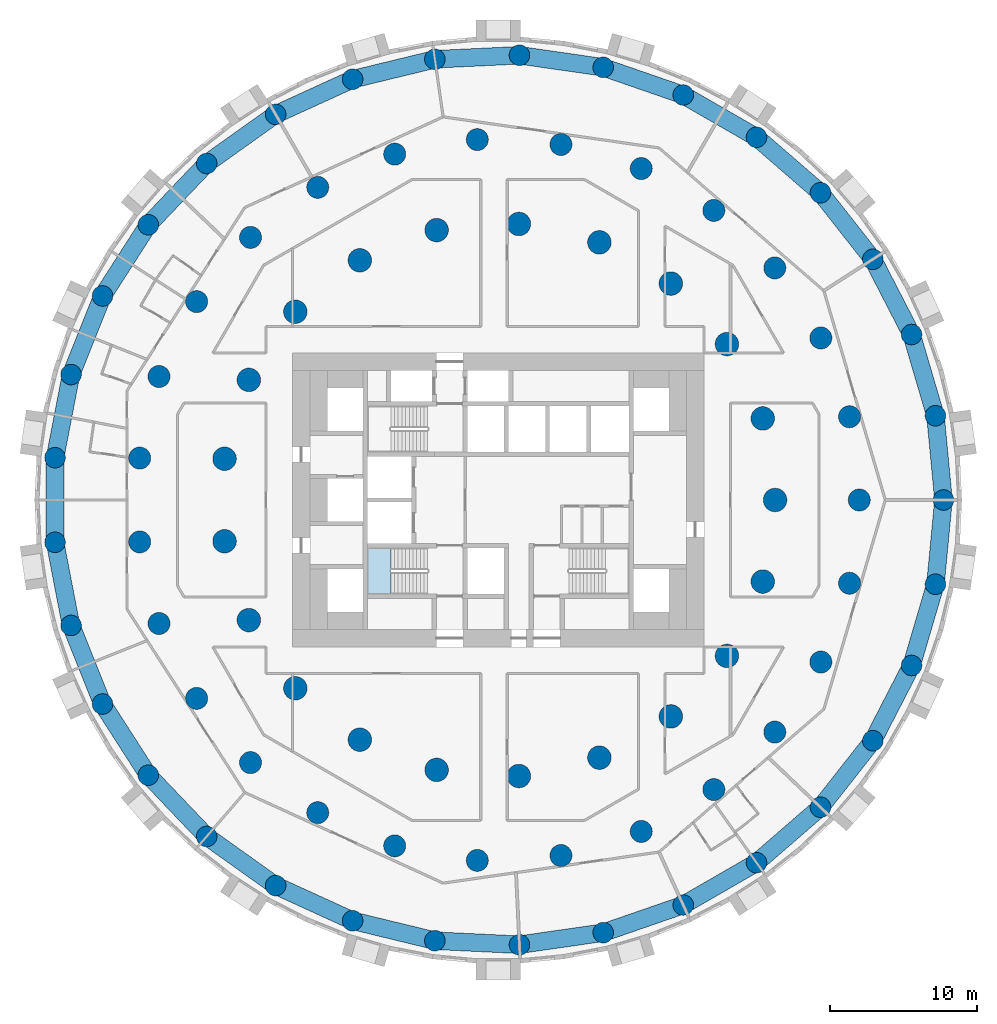
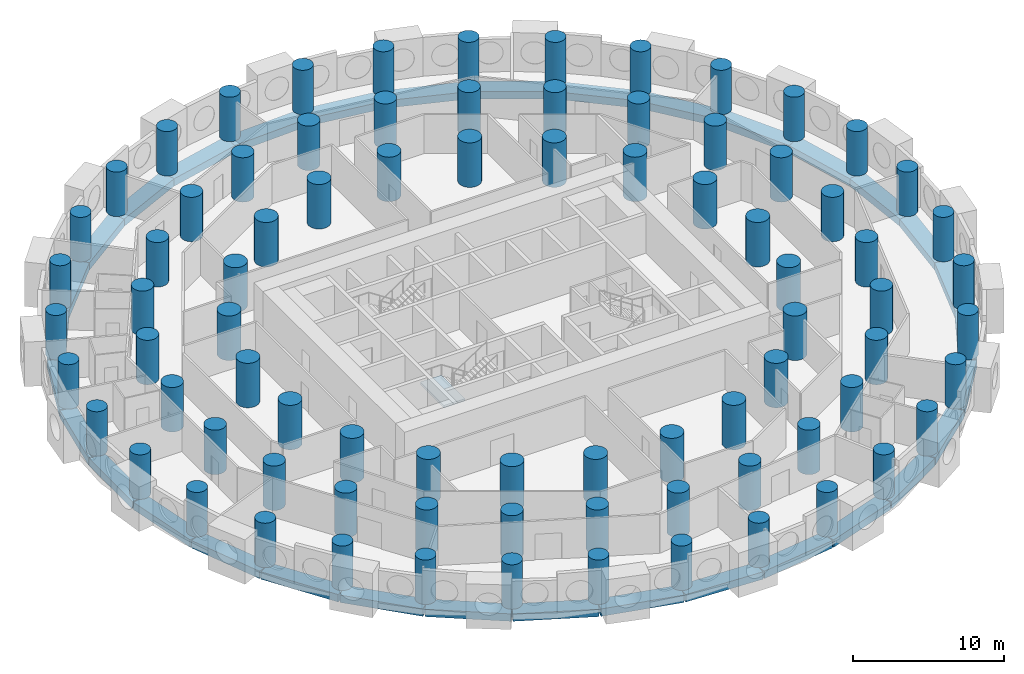
# One storey, part 1 of 11: 81 columns, 33 beams, 1 slab, 1 element without a shape of its own.
"""IFC4 building model written with IfcOpenShell, lengths in metres."""

from ifc_helpers import new_model, si_unit, direction, frame, origin, origin_2d, place, context, subcontext, project, spatial, polyline, rectangle, circle, outline, extrude, material, layer, layer_set, material_profile, profile_set, type_object, element, aggregate, save


model = new_model("IFC4")

# Units and contexts
model_context = context("Model", 3, precision=1e-05, world=origin(), true_north=direction((0.0, 1.0)))
body_context = subcontext(model_context, "Body", "Model", "MODEL_VIEW")
ifc_project = project(units=[si_unit("LENGTHUNIT", "METRE"), si_unit("AREAUNIT", "SQUARE_METRE"), si_unit("VOLUMEUNIT", "CUBIC_METRE"), si_unit("PLANEANGLEUNIT", "RADIAN"), si_unit("MASSUNIT", "GRAM", prefix="KILO")], contexts=[model_context])

# Site, building, storey
site_placement = place(None, origin())
site = spatial("IfcSite", under=ifc_project, at=site_placement, CompositionType="ELEMENT")
building_placement = place(site_placement, origin())
building = spatial("IfcBuilding", under=site, at=building_placement, Name="Tracery Tower", CompositionType="ELEMENT")
storey_placement = place(building_placement, frame((0.0, 0.0, 60.60009765625)))
storey = spatial("IfcBuildingStorey", under=building, at=storey_placement, Name="L14", CompositionType="ELEMENT", Elevation=60.60009765625)

# Columns
ifc_material_1 = material(Name="Concrete C60/75", Category="concrete")
ifc_material_profile_1 = material_profile(ifc_material_1, circle(Radius=0.699951171875, at=origin_2d()), Name="RC D1400")
ifc_profile_set_1 = profile_set([ifc_material_profile_1], Name="Concrete C60/75")
column_type_1 = type_object("IfcColumnType", Name="Ring 0 column 1400", PredefinedType="COLUMN", material=ifc_profile_set_1)
for number, where, z_axis, x_axis, name in (
    (1, (30.274658203125, 0.0, 0.0), (0.0, 0.0, 1.0), (1.0, 0.0, 0.0), "Ring 0 column 00 at L14"),
    (2, (29.7275390625, 5.7294921875, 0.0), (0.0, 0.0, 1.0), (1.0, 0.0, 0.0), "Ring 0 column 01 at L14"),
    (3, (28.10595703125, 11.251953125, 0.0), (0.0, 0.0, 1.0), (1.0, 0.0, 0.0), "Ring 0 column 02 at L14"),
    (4, (25.468505859375, 16.36767578125, 0.0), (0.0, 0.0, 1.0), (1.0, 0.0, 0.0), "Ring 0 column 03 at L14"),
    (5, (21.910888671875, 20.891845703125, 0.0), (0.0, 0.0, 1.0), (1.0, 0.0, 0.0), "Ring 0 column 04 at L14"),
    (6, (17.56103515625, 24.660888671875, 0.0), (0.0, 0.0, 1.0), (1.0, 0.0, 0.0), "Ring 0 column 05 at L14"),
    (7, (12.576416015625, 27.538818359375, 0.0), (0.0, 0.0, 1.0), (1.0, 0.0, 0.0), "Ring 0 column 06 at L14"),
    (8, (7.137451171875, 29.421142578125, 0.0), (0.0, 0.0, 1.0), (1.0, 0.0, 0.0), "Ring 0 column 07 at L14"),
    (9, (1.4404296875, 30.240234375, 0.0), (0.0, 0.0, 1.0), (1.0, 0.0, 0.0), "Ring 0 column 08 at L14"),
    (10, (-4.30859375, 29.96630859375, 0.0), (0.0, 0.0, 1.0), (1.0, 0.0, 0.0), "Ring 0 column 09 at L14"),
    (11, (-9.90185546875, 28.609619140625, 0.0), (0.0, 0.0, 1.0), (1.0, 0.0, 0.0), "Ring 0 column 10 at L14"),
    (12, (-15.13720703125, 26.218505859375, 0.0), (0.0, 0.0, 1.0), (1.0, 0.0, 0.0), "Ring 0 column 11 at L14"),
    (13, (-19.82568359375, 22.8798828125, 0.0), (0.0, 0.0, 1.0), (1.0, 0.0, 0.0), "Ring 0 column 12 at L14"),
    (14, (-23.79736328125, 18.714599609375, 0.0), (0.0, 0.0, 1.0), (1.0, 0.0, 0.0), "Ring 0 column 13 at L14"),
    (15, (-26.9091796875, 13.87255859375, 0.0), (0.0, 0.0, 1.0), (1.0, 0.0, 0.0), "Ring 0 column 14 at L14"),
    (16, (-29.04833984375, 8.529296875, 0.0), (0.0, 0.0, 1.0), (1.0, 0.0, 0.0), "Ring 0 column 15 at L14"),
    (17, (-30.137451171875, 2.877685546875, 0.0), (0.0, 0.0, 1.0), (1.0, 0.0, 0.0), "Ring 0 column 16 at L14"),
    (18, (-30.137451171875, -2.877685546875, 0.0), (0.0, 0.0, 1.0), (1.0, 0.0, 0.0), "Ring 0 column 17 at L14"),
    (19, (-29.04833984375, -8.529296875, 0.0), (0.0, 0.0, 1.0), (1.0, 0.0, 0.0), "Ring 0 column 18 at L14"),
    (20, (-26.9091796875, -13.87255859375, 0.0), (0.0, 0.0, 1.0), (1.0, 0.0, 0.0), "Ring 0 column 19 at L14"),
    (21, (-23.79736328125, -18.714599609375, 0.0), (0.0, 0.0, 1.0), (1.0, 0.0, 0.0), "Ring 0 column 20 at L14"),
    (22, (-19.82568359375, -22.8798828125, 0.0), (0.0, 0.0, 1.0), (1.0, 0.0, 0.0), "Ring 0 column 21 at L14"),
    (23, (-15.13720703125, -26.218505859375, 0.0), (0.0, 0.0, 1.0), (1.0, 0.0, 0.0), "Ring 0 column 22 at L14"),
    (24, (-9.90185546875, -28.609619140625, 0.0), (0.0, 0.0, 1.0), (1.0, 0.0, 0.0), "Ring 0 column 23 at L14"),
    (25, (-4.30859375, -29.96630859375, 0.0), (0.0, 0.0, 1.0), (1.0, 0.0, 0.0), "Ring 0 column 24 at L14"),
    (26, (1.4404296875, -30.240234375, 0.0), (0.0, 0.0, 1.0), (1.0, 0.0, 0.0), "Ring 0 column 25 at L14"),
    (27, (7.137451171875, -29.421142578125, 0.0), (0.0, 0.0, 1.0), (1.0, 0.0, 0.0), "Ring 0 column 26 at L14"),
    (28, (12.576416015625, -27.538818359375, 0.0), (0.0, 0.0, 1.0), (1.0, 0.0, 0.0), "Ring 0 column 27 at L14"),
    (29, (17.56103515625, -24.660888671875, 0.0), (0.0, 0.0, 1.0), (1.0, 0.0, 0.0), "Ring 0 column 28 at L14"),
    (30, (21.910888671875, -20.891845703125, 0.0), (0.0, 0.0, 1.0), (1.0, 0.0, 0.0), "Ring 0 column 29 at L14"),
    (31, (25.468505859375, -16.36767578125, 0.0), (0.0, 0.0, 1.0), (1.0, 0.0, 0.0), "Ring 0 column 30 at L14"),
    (32, (28.10595703125, -11.251953125, 0.0), (0.0, 0.0, 1.0), (1.0, 0.0, 0.0), "Ring 0 column 31 at L14"),
    (33, (29.7275390625, -5.7294921875, 0.0), (0.0, 0.0, 1.0), (1.0, 0.0, 0.0), "Ring 0 column 32 at L14"),
):
    element("IfcColumn", number, at=place(storey_placement, frame(where, z_axis=z_axis, x_axis=x_axis)), inside=storey, type_object=column_type_1, Name=name, PredefinedType="COLUMN", context=body_context, shape_type="SweptSolid", body=[
        extrude(circle(Radius=0.699951171875, at=origin_2d()), origin(), (0.0, 0.0, 1.0), 3.599853515625),
    ])
ifc_material_2 = material(Name="Concrete C60/75", Category="concrete")
ifc_material_profile_2 = material_profile(ifc_material_2, circle(Radius=0.75, at=origin_2d()), Name="RC D1500")
ifc_profile_set_2 = profile_set([ifc_material_profile_2], Name="Concrete C60/75")
column_type_2 = type_object("IfcColumnType", Name="Ring 1 column 1500", PredefinedType="COLUMN", material=ifc_profile_set_2)
for number, where, z_axis, x_axis, name in (
    (34, (24.547607421875, 0.0, 0.0), (0.0, 0.0, 1.0), (1.0, 0.0, 0.0), "Ring 1 column 00 at L14"),
    (35, (23.885986328125, 5.6611328125, 0.0), (0.0, 0.0, 1.0), (1.0, 0.0, 0.0), "Ring 1 column 01 at L14"),
    (36, (21.9365234375, 11.01708984375, 0.0), (0.0, 0.0, 1.0), (1.0, 0.0, 0.0), "Ring 1 column 02 at L14"),
    (37, (18.8046875, 15.779052734375, 0.0), (0.0, 0.0, 1.0), (1.0, 0.0, 0.0), "Ring 1 column 03 at L14"),
    (38, (14.658935546875, 19.690185546875, 0.0), (0.0, 0.0, 1.0), (1.0, 0.0, 0.0), "Ring 1 column 04 at L14"),
    (39, (9.722900390625, 22.5400390625, 0.0), (0.0, 0.0, 1.0), (1.0, 0.0, 0.0), "Ring 1 column 05 at L14"),
    (40, (4.2626953125, 24.1748046875, 0.0), (0.0, 0.0, 1.0), (1.0, 0.0, 0.0), "Ring 1 column 06 at L14"),
    (41, (-1.42724609375, 24.506103515625, 0.0), (0.0, 0.0, 1.0), (1.0, 0.0, 0.0), "Ring 1 column 07 at L14"),
    (42, (-7.040283203125, 23.516357421875, 0.0), (0.0, 0.0, 1.0), (1.0, 0.0, 0.0), "Ring 1 column 08 at L14"),
    (43, (-12.273681640625, 21.2587890625, 0.0), (0.0, 0.0, 1.0), (1.0, 0.0, 0.0), "Ring 1 column 09 at L14"),
    (44, (-16.845703125, 17.855224609375, 0.0), (0.0, 0.0, 1.0), (1.0, 0.0, 0.0), "Ring 1 column 10 at L14"),
    (45, (-20.50927734375, 13.4892578125, 0.0), (0.0, 0.0, 1.0), (1.0, 0.0, 0.0), "Ring 1 column 11 at L14"),
    (46, (-23.0673828125, 8.395751953125, 0.0), (0.0, 0.0, 1.0), (1.0, 0.0, 0.0), "Ring 1 column 12 at L14"),
    (47, (-24.381591796875, 2.849853515625, 0.0), (0.0, 0.0, 1.0), (1.0, 0.0, 0.0), "Ring 1 column 13 at L14"),
    (48, (-24.381591796875, -2.849853515625, 0.0), (0.0, 0.0, 1.0), (1.0, 0.0, 0.0), "Ring 1 column 14 at L14"),
    (49, (-23.0673828125, -8.395751953125, 0.0), (0.0, 0.0, 1.0), (1.0, 0.0, 0.0), "Ring 1 column 15 at L14"),
    (50, (-20.50927734375, -13.4892578125, 0.0), (0.0, 0.0, 1.0), (1.0, 0.0, 0.0), "Ring 1 column 16 at L14"),
    (51, (-16.845703125, -17.85546875, 0.0), (0.0, 0.0, 1.0), (1.0, 0.0, 0.0), "Ring 1 column 17 at L14"),
    (52, (-12.27392578125, -21.2587890625, 0.0), (0.0, 0.0, 1.0), (1.0, 0.0, 0.0), "Ring 1 column 18 at L14"),
    (53, (-7.040283203125, -23.516357421875, 0.0), (0.0, 0.0, 1.0), (1.0, 0.0, 0.0), "Ring 1 column 19 at L14"),
    (54, (-1.42724609375, -24.506103515625, 0.0), (0.0, 0.0, 1.0), (1.0, 0.0, 0.0), "Ring 1 column 20 at L14"),
    (55, (4.2626953125, -24.1748046875, 0.0), (0.0, 0.0, 1.0), (1.0, 0.0, 0.0), "Ring 1 column 21 at L14"),
    (56, (9.722900390625, -22.5400390625, 0.0), (0.0, 0.0, 1.0), (1.0, 0.0, 0.0), "Ring 1 column 22 at L14"),
    (57, (14.658935546875, -19.690185546875, 0.0), (0.0, 0.0, 1.0), (1.0, 0.0, 0.0), "Ring 1 column 23 at L14"),
    (58, (18.8046875, -15.779052734375, 0.0), (0.0, 0.0, 1.0), (1.0, 0.0, 0.0), "Ring 1 column 24 at L14"),
    (59, (21.9365234375, -11.01708984375, 0.0), (0.0, 0.0, 1.0), (1.0, 0.0, 0.0), "Ring 1 column 25 at L14"),
    (60, (23.885986328125, -5.6611328125, 0.0), (0.0, 0.0, 1.0), (1.0, 0.0, 0.0), "Ring 1 column 26 at L14"),
):
    element("IfcColumn", number, at=place(storey_placement, frame(where, z_axis=z_axis, x_axis=x_axis)), inside=storey, type_object=column_type_2, Name=name, PredefinedType="COLUMN", context=body_context, shape_type="SweptSolid", body=[
        extrude(circle(Radius=0.75, at=origin_2d()), origin(), (0.0, 0.0, 1.0), 3.599853515625),
    ])
ifc_material_3 = material(Name="Concrete C60/75", Category="concrete")
ifc_material_profile_3 = material_profile(ifc_material_3, circle(Radius=0.800048828125, at=origin_2d()), Name="RC D1600")
ifc_profile_set_3 = profile_set([ifc_material_profile_3], Name="Concrete C60/75")
column_type_3 = type_object("IfcColumnType", Name="Ring 2 column 1600", PredefinedType="COLUMN", material=ifc_profile_set_3)
for number, where, z_axis, x_axis, name in (
    (61, (18.822265625, 0.0, 0.0), (0.0, 0.0, 1.0), (1.0, 0.0, 0.0), "Ring 2 column 00 at L14"),
    (62, (17.986083984375, 5.5478515625, 0.0), (0.0, 0.0, 1.0), (1.0, 0.0, 0.0), "Ring 2 column 01 at L14"),
    (63, (15.551513671875, 10.602783203125, 0.0), (0.0, 0.0, 1.0), (1.0, 0.0, 0.0), "Ring 2 column 02 at L14"),
    (64, (11.7353515625, 14.7158203125, 0.0), (0.0, 0.0, 1.0), (1.0, 0.0, 0.0), "Ring 2 column 03 at L14"),
    (65, (6.87646484375, 17.52099609375, 0.0), (0.0, 0.0, 1.0), (1.0, 0.0, 0.0), "Ring 2 column 04 at L14"),
    (66, (1.406494140625, 18.76953125, 0.0), (0.0, 0.0, 1.0), (1.0, 0.0, 0.0), "Ring 2 column 05 at L14"),
    (67, (-4.188232421875, 18.350341796875, 0.0), (0.0, 0.0, 1.0), (1.0, 0.0, 0.0), "Ring 2 column 06 at L14"),
    (68, (-9.4111328125, 16.300537109375, 0.0), (0.0, 0.0, 1.0), (1.0, 0.0, 0.0), "Ring 2 column 07 at L14"),
    (69, (-13.797607421875, 12.802490234375, 0.0), (0.0, 0.0, 1.0), (1.0, 0.0, 0.0), "Ring 2 column 08 at L14"),
    (70, (-16.958251953125, 8.16650390625, 0.0), (0.0, 0.0, 1.0), (1.0, 0.0, 0.0), "Ring 2 column 09 at L14"),
    (71, (-18.612060546875, 2.805419921875, 0.0), (0.0, 0.0, 1.0), (1.0, 0.0, 0.0), "Ring 2 column 10 at L14"),
    (72, (-18.612060546875, -2.805419921875, 0.0), (0.0, 0.0, 1.0), (1.0, 0.0, 0.0), "Ring 2 column 11 at L14"),
    (73, (-16.958251953125, -8.166748046875, 0.0), (0.0, 0.0, 1.0), (1.0, 0.0, 0.0), "Ring 2 column 12 at L14"),
    (74, (-13.797607421875, -12.80224609375, 0.0), (0.0, 0.0, 1.0), (1.0, 0.0, 0.0), "Ring 2 column 13 at L14"),
    (75, (-9.4111328125, -16.300537109375, 0.0), (0.0, 0.0, 1.0), (1.0, 0.0, 0.0), "Ring 2 column 14 at L14"),
    (76, (-4.188232421875, -18.350341796875, 0.0), (0.0, 0.0, 1.0), (1.0, 0.0, 0.0), "Ring 2 column 15 at L14"),
    (77, (1.406494140625, -18.76953125, 0.0), (0.0, 0.0, 1.0), (1.0, 0.0, 0.0), "Ring 2 column 16 at L14"),
    (78, (6.87646484375, -17.52099609375, 0.0), (0.0, 0.0, 1.0), (1.0, 0.0, 0.0), "Ring 2 column 17 at L14"),
    (79, (11.7353515625, -14.7158203125, 0.0), (0.0, 0.0, 1.0), (1.0, 0.0, 0.0), "Ring 2 column 18 at L14"),
    (80, (15.551513671875, -10.602783203125, 0.0), (0.0, 0.0, 1.0), (1.0, 0.0, 0.0), "Ring 2 column 19 at L14"),
    (81, (17.986083984375, -5.5478515625, 0.0), (0.0, 0.0, 1.0), (1.0, 0.0, 0.0), "Ring 2 column 20 at L14"),
):
    element("IfcColumn", number, at=place(storey_placement, frame(where, z_axis=z_axis, x_axis=x_axis)), inside=storey, type_object=column_type_3, Name=name, PredefinedType="COLUMN", context=body_context, shape_type="SweptSolid", body=[
        extrude(circle(Radius=0.800048828125, at=origin_2d()), origin(), (0.0, 0.0, 1.0), 3.599853515625),
    ])

# Beams
ifc_material_4 = material(Name="Concrete C60/75", Category="concrete")
ifc_material_profile_4 = material_profile(ifc_material_4, rectangle(XDim=1.199951171875, YDim=0.60009765625, at=origin_2d()), Name="RC 1200x600")
ifc_profile_set_4 = profile_set([ifc_material_profile_4], Name="Concrete C60/75")
beam_type = type_object("IfcBeamType", Name="Perimeter band beam 1200x600", PredefinedType="BEAM", material=ifc_profile_set_4)
for number, where, z_axis, x_axis, name in (
    (82, (30.274658203125, 0.0, -0.75), (-0.095059309677, 0.995471610667, 0.0), (-0.995471610667, -0.095059309677, 0.0), "Perimeter beam 0.00 under L14"),
    (83, (29.7275390625, 5.7294921875, -0.75), (-0.281739145896, 0.959491038869, 0.0), (-0.959491038869, -0.281739145896, 0.0), "Perimeter beam 0.01 under L14"),
    (84, (28.10595703125, 11.251953125, -0.75), (-0.458242010493, 0.88882746347, 0.0), (-0.88882746347, -0.458242010493, 0.0), "Perimeter beam 0.02 under L14"),
):
    element("IfcBeam", number, at=place(storey_placement, frame(where, z_axis=z_axis, x_axis=x_axis)), inside=storey, type_object=beam_type, Name=name, PredefinedType="BEAM", context=body_context, shape_type="SweptSolid", body=[
        extrude(rectangle(XDim=1.199951171875, YDim=0.60009765625, at=origin_2d()), origin(), (0.0, 0.0, 1.0), 5.755615234375),
    ])
beam_1_placement = place(storey_placement, frame((25.468505859375, 16.36767578125, -0.75), z_axis=(-0.618134362257, 0.786072458618, 0.0), x_axis=(-0.786072458618, -0.618134362257, 0.0)))
element("IfcBeam", 85, at=beam_1_placement, inside=storey, type_object=beam_type, Name="Perimeter beam 0.03 under L14", PredefinedType="BEAM", context=body_context, shape_type="SweptSolid", body=[
    extrude(rectangle(XDim=1.199951171875, YDim=0.60009765625, at=origin_2d()), origin(), (0.0, 0.0, 1.0), 5.75537109375),
])
beam_2_placement = place(storey_placement, frame((21.910888671875, 20.891845703125, -0.75), z_axis=(-0.755760456715, 0.65484817482, 0.0), x_axis=(-0.65484817482, -0.755760456715, 0.0)))
element("IfcBeam", 86, at=beam_2_placement, inside=storey, type_object=beam_type, Name="Perimeter beam 0.04 under L14", PredefinedType="BEAM", context=body_context, shape_type="SweptSolid", body=[
    extrude(rectangle(XDim=1.199951171875, YDim=0.60009765625, at=origin_2d()), origin(), (0.0, 0.0, 1.0), 5.755615234375),
])
beam_3_placement = place(storey_placement, frame((17.56103515625, 24.660888671875, -0.75), z_axis=(-0.866021003874, 0.50000762079, 0.0), x_axis=(-0.50000762079, -0.866021003874, 0.0)))
element("IfcBeam", 87, at=beam_3_placement, inside=storey, type_object=beam_type, Name="Perimeter beam 0.05 under L14", PredefinedType="BEAM", context=body_context, shape_type="SweptSolid", body=[
    extrude(rectangle(XDim=1.199951171875, YDim=0.60009765625, at=origin_2d()), origin(), (0.0, 0.0, 1.0), 5.755859375),
])
beam_4_placement = place(storey_placement, frame((12.576416015625, 27.538818359375, -0.75), z_axis=(-0.945007252869, 0.327049372458, 0.0), x_axis=(-0.327049372458, -0.945007252869, 0.0)))
element("IfcBeam", 88, at=beam_4_placement, inside=storey, type_object=beam_type, Name="Perimeter beam 0.06 under L14", PredefinedType="BEAM", context=body_context, shape_type="SweptSolid", body=[
    extrude(rectangle(XDim=1.199951171875, YDim=0.60009765625, at=origin_2d()), origin(), (0.0, 0.0, 1.0), 5.75537109375),
])
for number, where, z_axis, x_axis, name in (
    (89, (7.137451171875, 29.421142578125, -0.75), (-0.989821839174, 0.142312075013, 0.0), (-0.142312075013, -0.989821839174, 0.0), "Perimeter beam 0.07 under L14"),
    (90, (1.4404296875, 30.240234375, -0.75), (-0.998866793759, -0.047593364303, 0.0), (0.047593364303, -0.998866793759, 0.0), "Perimeter beam 0.08 under L14"),
):
    element("IfcBeam", number, at=place(storey_placement, frame(where, z_axis=z_axis, x_axis=x_axis)), inside=storey, type_object=beam_type, Name=name, PredefinedType="BEAM", context=body_context, shape_type="SweptSolid", body=[
        extrude(rectangle(XDim=1.199951171875, YDim=0.60009765625, at=origin_2d()), origin(), (0.0, 0.0, 1.0), 5.755615234375),
    ])
beam_5_placement = place(storey_placement, frame((-4.30859375, 29.96630859375, -0.75), z_axis=(-0.971820371509, -0.235722645328, 0.0), x_axis=(0.235722645328, -0.971820371509, 0.0)))
element("IfcBeam", 91, at=beam_5_placement, inside=storey, type_object=beam_type, Name="Perimeter beam 0.09 under L14", PredefinedType="BEAM", context=body_context, shape_type="SweptSolid", body=[
    extrude(rectangle(XDim=1.199951171875, YDim=0.60009765625, at=origin_2d()), origin(), (0.0, 0.0, 1.0), 5.75537109375),
])
for number, where, z_axis, x_axis, name in (
    (92, (-9.90185546875, 28.609619140625, -0.75), (-0.909618316865, -0.415444963411, 0.0), (0.415444963411, -0.909618316865, 0.0), "Perimeter beam 0.10 under L14"),
    (93, (-15.13720703125, 26.218505859375, -0.75), (-0.8145780864, -0.580053912285, 0.0), (0.580053912285, -0.8145780864, 0.0), "Perimeter beam 0.11 under L14"),
):
    element("IfcBeam", number, at=place(storey_placement, frame(where, z_axis=z_axis, x_axis=x_axis)), inside=storey, type_object=beam_type, Name=name, PredefinedType="BEAM", context=body_context, shape_type="SweptSolid", body=[
        extrude(rectangle(XDim=1.199951171875, YDim=0.60009765625, at=origin_2d()), origin(), (0.0, 0.0, 1.0), 5.755615234375),
    ])
beam_6_placement = place(storey_placement, frame((-19.82568359375, 22.8798828125, -0.75), z_axis=(-0.690087218267, -0.723726212863, 0.0), x_axis=(0.723726212863, -0.690087218267, 0.0)))
element("IfcBeam", 94, at=beam_6_placement, inside=storey, type_object=beam_type, Name="Perimeter beam 0.12 under L14", PredefinedType="BEAM", context=body_context, shape_type="SweptSolid", body=[
    extrude(rectangle(XDim=1.199951171875, YDim=0.60009765625, at=origin_2d()), origin(), (0.0, 0.0, 1.0), 5.75537109375),
])
beam_7_placement = place(storey_placement, frame((-23.79736328125, 18.714599609375, -0.75), z_axis=(-0.540643964602, -0.841251510274, 0.0), x_axis=(0.841251510274, -0.540643964602, 0.0)))
element("IfcBeam", 95, at=beam_7_placement, inside=storey, type_object=beam_type, Name="Perimeter beam 0.13 under L14", PredefinedType="BEAM", context=body_context, shape_type="SweptSolid", body=[
    extrude(rectangle(XDim=1.199951171875, YDim=0.60009765625, at=origin_2d()), origin(), (0.0, 0.0, 1.0), 5.755859375),
])
for number, where, z_axis, x_axis, name in (
    (96, (-26.9091796875, 13.87255859375, -0.75), (-0.371668572289, -0.928365484264, 0.0), (0.928365484264, -0.371668572289, 0.0), "Perimeter beam 0.14 under L14"),
    (97, (-29.04833984375, 8.529296875, -0.75), (-0.189226539295, -0.981933458451, 0.0), (0.981933458451, -0.189226539295, 0.0), "Perimeter beam 0.15 under L14"),
):
    element("IfcBeam", number, at=place(storey_placement, frame(where, z_axis=z_axis, x_axis=x_axis)), inside=storey, type_object=beam_type, Name=name, PredefinedType="BEAM", context=body_context, shape_type="SweptSolid", body=[
        extrude(rectangle(XDim=1.199951171875, YDim=0.60009765625, at=origin_2d()), origin(), (0.0, 0.0, 1.0), 5.755615234375),
    ])
beam_8_placement = place(storey_placement, frame((-30.137451171875, 2.877685546875, -0.75), z_axis=(0.0, -1.0, 0.0), x_axis=(1.0, 0.0, 0.0)))
element("IfcBeam", 98, at=beam_8_placement, inside=storey, type_object=beam_type, Name="Perimeter beam 0.16 under L14", PredefinedType="BEAM", context=body_context, shape_type="SweptSolid", body=[
    extrude(rectangle(XDim=1.199951171875, YDim=0.60009765625, at=origin_2d()), origin(), (0.0, 0.0, 1.0), 5.75537109375),
])
for number, where, z_axis, x_axis, name in (
    (99, (-30.137451171875, -2.877685546875, -0.75), (0.189226539295, -0.981933458451, 0.0), (0.981933458451, 0.189226539295, 0.0), "Perimeter beam 0.17 under L14"),
    (100, (-29.04833984375, -8.529296875, -0.75), (0.371668572289, -0.928365484264, 0.0), (0.928365484264, 0.371668572289, 0.0), "Perimeter beam 0.18 under L14"),
):
    element("IfcBeam", number, at=place(storey_placement, frame(where, z_axis=z_axis, x_axis=x_axis)), inside=storey, type_object=beam_type, Name=name, PredefinedType="BEAM", context=body_context, shape_type="SweptSolid", body=[
        extrude(rectangle(XDim=1.199951171875, YDim=0.60009765625, at=origin_2d()), origin(), (0.0, 0.0, 1.0), 5.755615234375),
    ])
beam_9_placement = place(storey_placement, frame((-26.9091796875, -13.87255859375, -0.75), z_axis=(0.540643964602, -0.841251510274, 0.0), x_axis=(0.841251510274, 0.540643964602, 0.0)))
element("IfcBeam", 101, at=beam_9_placement, inside=storey, type_object=beam_type, Name="Perimeter beam 0.19 under L14", PredefinedType="BEAM", context=body_context, shape_type="SweptSolid", body=[
    extrude(rectangle(XDim=1.199951171875, YDim=0.60009765625, at=origin_2d()), origin(), (0.0, 0.0, 1.0), 5.755859375),
])
beam_10_placement = place(storey_placement, frame((-23.79736328125, -18.714599609375, -0.75), z_axis=(0.690087218267, -0.723726212863, 0.0), x_axis=(0.723726212863, 0.690087218267, 0.0)))
element("IfcBeam", 102, at=beam_10_placement, inside=storey, type_object=beam_type, Name="Perimeter beam 0.20 under L14", PredefinedType="BEAM", context=body_context, shape_type="SweptSolid", body=[
    extrude(rectangle(XDim=1.199951171875, YDim=0.60009765625, at=origin_2d()), origin(), (0.0, 0.0, 1.0), 5.75537109375),
])
for number, where, z_axis, x_axis, name in (
    (103, (-19.82568359375, -22.8798828125, -0.75), (0.8145780864, -0.580053912285, 0.0), (0.580053912285, 0.8145780864, 0.0), "Perimeter beam 0.21 under L14"),
    (104, (-15.13720703125, -26.218505859375, -0.75), (0.909618316865, -0.415444963411, 0.0), (0.415444963411, 0.909618316865, 0.0), "Perimeter beam 0.22 under L14"),
):
    element("IfcBeam", number, at=place(storey_placement, frame(where, z_axis=z_axis, x_axis=x_axis)), inside=storey, type_object=beam_type, Name=name, PredefinedType="BEAM", context=body_context, shape_type="SweptSolid", body=[
        extrude(rectangle(XDim=1.199951171875, YDim=0.60009765625, at=origin_2d()), origin(), (0.0, 0.0, 1.0), 5.755615234375),
    ])
beam_11_placement = place(storey_placement, frame((-9.90185546875, -28.609619140625, -0.75), z_axis=(0.971820371509, -0.235722645328, 0.0), x_axis=(0.235722645328, 0.971820371509, 0.0)))
element("IfcBeam", 105, at=beam_11_placement, inside=storey, type_object=beam_type, Name="Perimeter beam 0.23 under L14", PredefinedType="BEAM", context=body_context, shape_type="SweptSolid", body=[
    extrude(rectangle(XDim=1.199951171875, YDim=0.60009765625, at=origin_2d()), origin(), (0.0, 0.0, 1.0), 5.75537109375),
])
for number, where, z_axis, x_axis, name in (
    (106, (-4.30859375, -29.96630859375, -0.75), (0.998866793759, -0.047593364303, 0.0), (0.047593364303, 0.998866793759, 0.0), "Perimeter beam 0.24 under L14"),
    (107, (1.4404296875, -30.240234375, -0.75), (0.989821839174, 0.142312075013, 0.0), (-0.142312075013, 0.989821839174, 0.0), "Perimeter beam 0.25 under L14"),
):
    element("IfcBeam", number, at=place(storey_placement, frame(where, z_axis=z_axis, x_axis=x_axis)), inside=storey, type_object=beam_type, Name=name, PredefinedType="BEAM", context=body_context, shape_type="SweptSolid", body=[
        extrude(rectangle(XDim=1.199951171875, YDim=0.60009765625, at=origin_2d()), origin(), (0.0, 0.0, 1.0), 5.755615234375),
    ])
beam_12_placement = place(storey_placement, frame((7.137451171875, -29.421142578125, -0.75), z_axis=(0.945007252869, 0.327049372458, 0.0), x_axis=(-0.327049372458, 0.945007252869, 0.0)))
element("IfcBeam", 108, at=beam_12_placement, inside=storey, type_object=beam_type, Name="Perimeter beam 0.26 under L14", PredefinedType="BEAM", context=body_context, shape_type="SweptSolid", body=[
    extrude(rectangle(XDim=1.199951171875, YDim=0.60009765625, at=origin_2d()), origin(), (0.0, 0.0, 1.0), 5.75537109375),
])
beam_13_placement = place(storey_placement, frame((12.576416015625, -27.538818359375, -0.75), z_axis=(0.866021003874, 0.50000762079, 0.0), x_axis=(-0.50000762079, 0.866021003874, 0.0)))
element("IfcBeam", 109, at=beam_13_placement, inside=storey, type_object=beam_type, Name="Perimeter beam 0.27 under L14", PredefinedType="BEAM", context=body_context, shape_type="SweptSolid", body=[
    extrude(rectangle(XDim=1.199951171875, YDim=0.60009765625, at=origin_2d()), origin(), (0.0, 0.0, 1.0), 5.755859375),
])
beam_14_placement = place(storey_placement, frame((17.56103515625, -24.660888671875, -0.75), z_axis=(0.755760456715, 0.65484817482, 0.0), x_axis=(-0.65484817482, 0.755760456715, 0.0)))
element("IfcBeam", 110, at=beam_14_placement, inside=storey, type_object=beam_type, Name="Perimeter beam 0.28 under L14", PredefinedType="BEAM", context=body_context, shape_type="SweptSolid", body=[
    extrude(rectangle(XDim=1.199951171875, YDim=0.60009765625, at=origin_2d()), origin(), (0.0, 0.0, 1.0), 5.755615234375),
])
beam_15_placement = place(storey_placement, frame((21.910888671875, -20.891845703125, -0.75), z_axis=(0.618134362257, 0.786072458618, 0.0), x_axis=(-0.786072458618, 0.618134362257, 0.0)))
element("IfcBeam", 111, at=beam_15_placement, inside=storey, type_object=beam_type, Name="Perimeter beam 0.29 under L14", PredefinedType="BEAM", context=body_context, shape_type="SweptSolid", body=[
    extrude(rectangle(XDim=1.199951171875, YDim=0.60009765625, at=origin_2d()), origin(), (0.0, 0.0, 1.0), 5.75537109375),
])
for number, where, z_axis, x_axis, name in (
    (112, (25.468505859375, -16.36767578125, -0.75), (0.458242010493, 0.88882746347, 0.0), (-0.88882746347, 0.458242010493, 0.0), "Perimeter beam 0.30 under L14"),
    (113, (28.10595703125, -11.251953125, -0.75), (0.281739145896, 0.959491038869, 0.0), (-0.959491038869, 0.281739145896, 0.0), "Perimeter beam 0.31 under L14"),
    (114, (29.7275390625, -5.7294921875, -0.75), (0.095059309677, 0.995471610667, 0.0), (-0.995471610667, 0.095059309677, 0.0), "Perimeter beam 0.32 under L14"),
):
    element("IfcBeam", number, at=place(storey_placement, frame(where, z_axis=z_axis, x_axis=x_axis)), inside=storey, type_object=beam_type, Name=name, PredefinedType="BEAM", context=body_context, shape_type="SweptSolid", body=[
        extrude(rectangle(XDim=1.199951171875, YDim=0.60009765625, at=origin_2d()), origin(), (0.0, 0.0, 1.0), 5.755615234375),
    ])

# Stair, slab
ifc_material_5 = material(Name="Concrete C32/40", Category="concrete")
stair_type = type_object("IfcStairType", Name="Core stair 22 risers", PredefinedType="HALF_TURN_STAIR", material=ifc_material_5)
stair_placement = place(storey_placement, origin())
stair = element("IfcStair", 115, at=stair_placement, inside=storey, type_object=stair_type, Name="L14 stair ST1", PredefinedType="HALF_TURN_STAIR")
ifc_material_6 = material(Name="Concrete C32/40", Category="concrete")
ifc_layer = layer(ifc_material_6, 0.199951171875)
ifc_layer_set = layer_set([ifc_layer], Name="Stair landing slab 200")
slab_type = type_object("IfcSlabType", Name="Stair landing slab 200", PredefinedType="LANDING", material=ifc_layer_set)
slab_placement = place(storey_placement, frame((0.0, 0.0, 1.599853515625)))
slab = element("IfcSlab", 116, at=slab_placement, type_object=slab_type, Name="ST1 landing 1", PredefinedType="LANDING", context=body_context, shape_type="SweptSolid", body=[
    extrude(outline(polyline([(-7.29931640625, -3.25), (-8.89990234375, -3.25), (-8.89990234375, -6.39990234375), (-7.29931640625, -6.39990234375), (-7.29931640625, -3.25)])), origin(), (0.0, 0.0, 1.0), 0.199951171875),
])
aggregate(stair, [slab])

save(model, "model.ifc")
